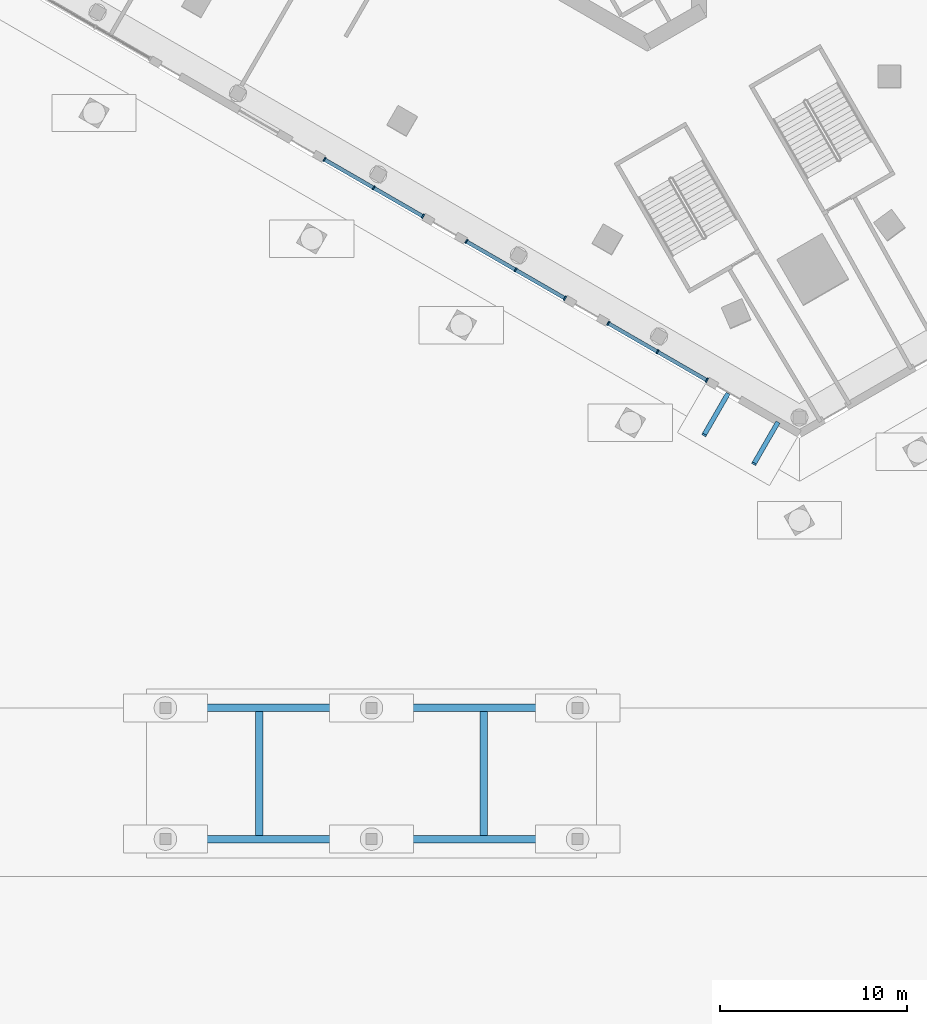
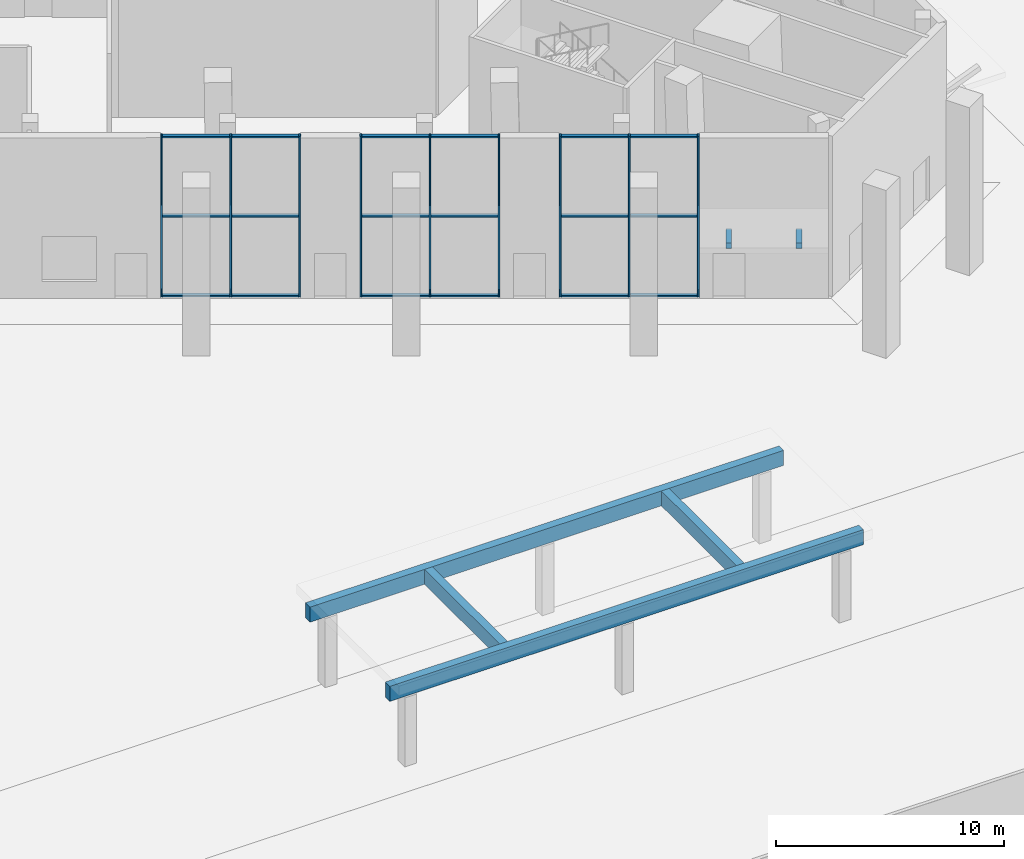
# One storey, part 9 of 63: 29 members, 4 beams, 3 elements without a shape of their own.
"""IFC4 building model written with IfcOpenShell, lengths in metres."""

from ifc_helpers import new_model, si_unit, direction, frame, origin, origin_2d, place, context, subcontext, project, spatial, rectangle, extrude, material, layer, layer_set, material_profile, profile_set, type_object, element, aggregate, save


model = new_model("IFC4")

# Units and contexts
model_context = context("Model", 3, precision=1e-05, world=origin(), true_north=direction((0.0, 1.0)))
body_context = subcontext(model_context, "Body", "Model", "MODEL_VIEW")
ifc_project = project(units=[si_unit("LENGTHUNIT", "METRE"), si_unit("AREAUNIT", "SQUARE_METRE"), si_unit("VOLUMEUNIT", "CUBIC_METRE"), si_unit("PLANEANGLEUNIT", "RADIAN"), si_unit("MASSUNIT", "GRAM", prefix="KILO")], contexts=[model_context])

# Site, building, storey
site_placement = place(None, origin())
site = spatial("IfcSite", under=ifc_project, at=site_placement, CompositionType="ELEMENT")
building_placement = place(site_placement, origin())
building = spatial("IfcBuilding", under=site, at=building_placement, Name="Jabali Bay Hotel Tower and Convention Centre", CompositionType="ELEMENT")
storey_placement = place(building_placement, origin())
storey = spatial("IfcBuildingStorey", under=building, at=storey_placement, Name="L00", CompositionType="ELEMENT", Elevation=0.0)

# Curtain wall, members
ifc_material_1 = material(Name="Aluminium and glass", Category="aluminium")
ifc_layer = layer(ifc_material_1, 0.239990234375)
ifc_layer_set = layer_set([ifc_layer], Name="Aluminium and glass")
curtain_wall_type = type_object("IfcCurtainWallType", Name="CW2 curtain wall", PredefinedType="NOTDEFINED", material=ifc_layer_set)
curtain_wall_1_placement = place(storey_placement, origin())
curtain_wall_1 = element("IfcCurtainWall", 1, at=curtain_wall_1_placement, inside=storey, type_object=curtain_wall_type, Name="CW2 curtain wall south-west face L00", PredefinedType="NOTDEFINED")
ifc_material_2 = material(Name="Aluminium", Category="aluminium")
ifc_material_profile_1 = material_profile(ifc_material_2, rectangle(XDim=0.239990234375, YDim=0.080078125, at=origin_2d()), Name="CW2 mullion 80 x 240")
ifc_profile_set_1 = profile_set([ifc_material_profile_1], Name="Aluminium")
member_type_1 = type_object("IfcMemberType", Name="CW2 mullion 80 x 240", PredefinedType="MULLION", material=ifc_profile_set_1)
member_1_placement = place(storey_placement, frame((74.740478515625, 47.24072265625, 0.0), z_axis=(0.0, 0.0, 1.0), x_axis=(-0.499999999441, -0.866025404107, 0.0)))
member_1 = element("IfcMember", 2, at=member_1_placement, type_object=member_type_1, Name="CW2 mullion 1", PredefinedType="MULLION", context=body_context, shape_type="SweptSolid", body=[
    extrude(rectangle(XDim=0.239990234375, YDim=0.080078125, at=origin_2d()), origin(), (0.0, 0.0, 1.0), 8.60009765625),
])
member_2_placement = place(storey_placement, frame((72.11328125, 48.7578125, 0.0), z_axis=(0.0, 0.0, 1.0), x_axis=(-0.499999999441, -0.866025404107, 0.0)))
member_2 = element("IfcMember", 3, at=member_2_placement, type_object=member_type_1, Name="CW2 mullion 2", PredefinedType="MULLION", context=body_context, shape_type="SweptSolid", body=[
    extrude(rectangle(XDim=0.239990234375, YDim=0.080078125, at=origin_2d()), origin(), (0.0, 0.0, 1.0), 8.60009765625),
])
member_3_placement = place(storey_placement, frame((69.486083984375, 50.274658203125, 0.0), z_axis=(0.0, 0.0, 1.0), x_axis=(-0.499999999441, -0.866025404107, 0.0)))
member_3 = element("IfcMember", 4, at=member_3_placement, type_object=member_type_1, Name="CW2 mullion 3", PredefinedType="MULLION", context=body_context, shape_type="SweptSolid", body=[
    extrude(rectangle(XDim=0.239990234375, YDim=0.080078125, at=origin_2d()), origin(), (0.0, 0.0, 1.0), 8.60009765625),
])

curtain_wall_2_placement = place(storey_placement, origin())
curtain_wall_2 = element("IfcCurtainWall", 5, at=curtain_wall_2_placement, inside=storey, type_object=curtain_wall_type, Name="CW2 curtain wall south-west face L00", PredefinedType="NOTDEFINED")
member_4_placement = place(storey_placement, frame((82.31591796875, 42.8671875, 0.0), z_axis=(0.0, 0.0, 1.0), x_axis=(-0.499999999441, -0.866025404107, 0.0)))
member_4 = element("IfcMember", 6, at=member_4_placement, type_object=member_type_1, Name="CW2 mullion 1", PredefinedType="MULLION", context=body_context, shape_type="SweptSolid", body=[
    extrude(rectangle(XDim=0.239990234375, YDim=0.080078125, at=origin_2d()), origin(), (0.0, 0.0, 1.0), 8.60009765625),
])
member_5_placement = place(storey_placement, frame((79.688720703125, 44.384033203125, 0.0), z_axis=(0.0, 0.0, 1.0), x_axis=(-0.499999999441, -0.866025404107, 0.0)))
member_5 = element("IfcMember", 7, at=member_5_placement, type_object=member_type_1, Name="CW2 mullion 2", PredefinedType="MULLION", context=body_context, shape_type="SweptSolid", body=[
    extrude(rectangle(XDim=0.239990234375, YDim=0.080078125, at=origin_2d()), origin(), (0.0, 0.0, 1.0), 8.60009765625),
])
member_6_placement = place(storey_placement, frame((77.0615234375, 45.90087890625, 0.0), z_axis=(0.0, 0.0, 1.0), x_axis=(-0.499999999441, -0.866025404107, 0.0)))
member_6 = element("IfcMember", 8, at=member_6_placement, type_object=member_type_1, Name="CW2 mullion 3", PredefinedType="MULLION", context=body_context, shape_type="SweptSolid", body=[
    extrude(rectangle(XDim=0.239990234375, YDim=0.080078125, at=origin_2d()), origin(), (0.0, 0.0, 1.0), 8.60009765625),
])

curtain_wall_3_placement = place(storey_placement, origin())
curtain_wall_3 = element("IfcCurtainWall", 9, at=curtain_wall_3_placement, inside=storey, type_object=curtain_wall_type, Name="CW2 curtain wall south-west face L00", PredefinedType="NOTDEFINED")
member_7_placement = place(storey_placement, frame((89.8916015625, 38.493408203125, 0.0), z_axis=(0.0, 0.0, 1.0), x_axis=(-0.499999999441, -0.866025404107, 0.0)))
member_7 = element("IfcMember", 10, at=member_7_placement, type_object=member_type_1, Name="CW2 mullion 1", PredefinedType="MULLION", context=body_context, shape_type="SweptSolid", body=[
    extrude(rectangle(XDim=0.239990234375, YDim=0.080078125, at=origin_2d()), origin(), (0.0, 0.0, 1.0), 8.60009765625),
])
member_8_placement = place(storey_placement, frame((87.26416015625, 40.01025390625, 0.0), z_axis=(0.0, 0.0, 1.0), x_axis=(-0.499999999441, -0.866025404107, 0.0)))
member_8 = element("IfcMember", 11, at=member_8_placement, type_object=member_type_1, Name="CW2 mullion 2", PredefinedType="MULLION", context=body_context, shape_type="SweptSolid", body=[
    extrude(rectangle(XDim=0.239990234375, YDim=0.080078125, at=origin_2d()), origin(), (0.0, 0.0, 1.0), 8.60009765625),
])
member_9_placement = place(storey_placement, frame((84.636962890625, 41.527099609375, 0.0), z_axis=(0.0, 0.0, 1.0), x_axis=(-0.499999999441, -0.866025404107, 0.0)))
member_9 = element("IfcMember", 12, at=member_9_placement, type_object=member_type_1, Name="CW2 mullion 3", PredefinedType="MULLION", context=body_context, shape_type="SweptSolid", body=[
    extrude(rectangle(XDim=0.239990234375, YDim=0.080078125, at=origin_2d()), origin(), (0.0, 0.0, 1.0), 8.60009765625),
])

# Member
ifc_material_profile_2 = material_profile(ifc_material_2, rectangle(XDim=0.199951171875, YDim=0.080078125, at=origin_2d()), Name="CW2 transom 80 x 200")
ifc_profile_set_2 = profile_set([ifc_material_profile_2], Name="Aluminium")
member_type_2 = type_object("IfcMemberType", Name="CW2 transom 80 x 200", PredefinedType="USERDEFINED", material=ifc_profile_set_2)
member_10_placement = place(storey_placement, frame((74.705810546875, 47.2607421875, 0.0400390625), z_axis=(-0.865985986916, 0.500068265805, 0.0), x_axis=(-0.500068265805, -0.865985986916, 0.0)))
member_10 = element("IfcMember", 13, at=member_10_placement, type_object=member_type_2, Name="CW2 transom 1.1", ObjectType="TRANSOM", PredefinedType="USERDEFINED", context=body_context, shape_type="SweptSolid", body=[
    extrude(rectangle(XDim=0.199951171875, YDim=0.080078125, at=origin_2d()), origin(), (0.0, 0.0, 1.0), 2.95361328125),
])

member_11_placement = place(storey_placement, frame((74.705810546875, 47.2607421875, 4.300048828125), z_axis=(-0.865985986916, 0.500068265805, 0.0), x_axis=(-0.500068265805, -0.865985986916, 0.0)))
member_11 = element("IfcMember", 14, at=member_11_placement, type_object=member_type_2, Name="CW2 transom 1.2", ObjectType="TRANSOM", PredefinedType="USERDEFINED", context=body_context, shape_type="SweptSolid", body=[
    extrude(rectangle(XDim=0.199951171875, YDim=0.080078125, at=origin_2d()), origin(), (0.0, 0.0, 1.0), 2.95361328125),
])

member_12_placement = place(storey_placement, frame((74.705810546875, 47.2607421875, 8.56005859375), z_axis=(-0.865985986916, 0.500068265805, 0.0), x_axis=(-0.500068265805, -0.865985986916, 0.0)))
member_12 = element("IfcMember", 15, at=member_12_placement, type_object=member_type_2, Name="CW2 transom 1.3", ObjectType="TRANSOM", PredefinedType="USERDEFINED", context=body_context, shape_type="SweptSolid", body=[
    extrude(rectangle(XDim=0.199951171875, YDim=0.080078125, at=origin_2d()), origin(), (0.0, 0.0, 1.0), 2.95361328125),
])

member_13_placement = place(storey_placement, frame((72.07861328125, 48.777587890625, 0.0400390625), z_axis=(-0.866006654318, 0.500032473623, 0.0), x_axis=(-0.500032473623, -0.866006654318, 0.0)))
member_13 = element("IfcMember", 16, at=member_13_placement, type_object=member_type_2, Name="CW2 transom 2.1", ObjectType="TRANSOM", PredefinedType="USERDEFINED", context=body_context, shape_type="SweptSolid", body=[
    extrude(rectangle(XDim=0.199951171875, YDim=0.080078125, at=origin_2d()), origin(), (0.0, 0.0, 1.0), 2.953857421875),
])

member_14_placement = place(storey_placement, frame((72.07861328125, 48.777587890625, 4.300048828125), z_axis=(-0.866006654318, 0.500032473623, 0.0), x_axis=(-0.500032473623, -0.866006654318, 0.0)))
member_14 = element("IfcMember", 17, at=member_14_placement, type_object=member_type_2, Name="CW2 transom 2.2", ObjectType="TRANSOM", PredefinedType="USERDEFINED", context=body_context, shape_type="SweptSolid", body=[
    extrude(rectangle(XDim=0.199951171875, YDim=0.080078125, at=origin_2d()), origin(), (0.0, 0.0, 1.0), 2.953857421875),
])

member_15_placement = place(storey_placement, frame((72.07861328125, 48.777587890625, 8.56005859375), z_axis=(-0.866006654318, 0.500032473623, 0.0), x_axis=(-0.500032473623, -0.866006654318, 0.0)))
member_15 = element("IfcMember", 18, at=member_15_placement, type_object=member_type_2, Name="CW2 transom 2.3", ObjectType="TRANSOM", PredefinedType="USERDEFINED", context=body_context, shape_type="SweptSolid", body=[
    extrude(rectangle(XDim=0.199951171875, YDim=0.080078125, at=origin_2d()), origin(), (0.0, 0.0, 1.0), 2.953857421875),
])

aggregate(curtain_wall_1, [member_1, member_2, member_3, member_10, member_11, member_12, member_13, member_14, member_15])

member_16_placement = place(storey_placement, frame((82.281494140625, 42.88720703125, 0.0400390625), z_axis=(-0.866042443626, 0.499970484968, 0.0), x_axis=(-0.499970484968, -0.866042443626, 0.0)))
member_16 = element("IfcMember", 19, at=member_16_placement, type_object=member_type_2, Name="CW2 transom 1.1", ObjectType="TRANSOM", PredefinedType="USERDEFINED", context=body_context, shape_type="SweptSolid", body=[
    extrude(rectangle(XDim=0.199951171875, YDim=0.080078125, at=origin_2d()), origin(), (0.0, 0.0, 1.0), 2.953857421875),
])

member_17_placement = place(storey_placement, frame((82.281494140625, 42.88720703125, 4.300048828125), z_axis=(-0.866042443626, 0.499970484968, 0.0), x_axis=(-0.499970484968, -0.866042443626, 0.0)))
member_17 = element("IfcMember", 20, at=member_17_placement, type_object=member_type_2, Name="CW2 transom 1.2", ObjectType="TRANSOM", PredefinedType="USERDEFINED", context=body_context, shape_type="SweptSolid", body=[
    extrude(rectangle(XDim=0.199951171875, YDim=0.080078125, at=origin_2d()), origin(), (0.0, 0.0, 1.0), 2.953857421875),
])

member_18_placement = place(storey_placement, frame((82.281494140625, 42.88720703125, 8.56005859375), z_axis=(-0.866042443626, 0.499970484968, 0.0), x_axis=(-0.499970484968, -0.866042443626, 0.0)))
member_18 = element("IfcMember", 21, at=member_18_placement, type_object=member_type_2, Name="CW2 transom 1.3", ObjectType="TRANSOM", PredefinedType="USERDEFINED", context=body_context, shape_type="SweptSolid", body=[
    extrude(rectangle(XDim=0.199951171875, YDim=0.080078125, at=origin_2d()), origin(), (0.0, 0.0, 1.0), 2.953857421875),
])

member_19_placement = place(storey_placement, frame((79.654052734375, 44.404052734375, 0.0400390625), z_axis=(-0.866021780494, 0.500006275671, 0.0), x_axis=(-0.500006275671, -0.866021780494, 0.0)))
member_19 = element("IfcMember", 22, at=member_19_placement, type_object=member_type_2, Name="CW2 transom 2.1", ObjectType="TRANSOM", PredefinedType="USERDEFINED", context=body_context, shape_type="SweptSolid", body=[
    extrude(rectangle(XDim=0.199951171875, YDim=0.080078125, at=origin_2d()), origin(), (0.0, 0.0, 1.0), 2.95361328125),
])

member_20_placement = place(storey_placement, frame((79.654052734375, 44.404052734375, 4.300048828125), z_axis=(-0.866021780494, 0.500006275671, 0.0), x_axis=(-0.500006275671, -0.866021780494, 0.0)))
member_20 = element("IfcMember", 23, at=member_20_placement, type_object=member_type_2, Name="CW2 transom 2.2", ObjectType="TRANSOM", PredefinedType="USERDEFINED", context=body_context, shape_type="SweptSolid", body=[
    extrude(rectangle(XDim=0.199951171875, YDim=0.080078125, at=origin_2d()), origin(), (0.0, 0.0, 1.0), 2.95361328125),
])

member_21_placement = place(storey_placement, frame((79.654052734375, 44.404052734375, 8.56005859375), z_axis=(-0.866021780494, 0.500006275671, 0.0), x_axis=(-0.500006275671, -0.866021780494, 0.0)))
member_21 = element("IfcMember", 24, at=member_21_placement, type_object=member_type_2, Name="CW2 transom 2.3", ObjectType="TRANSOM", PredefinedType="USERDEFINED", context=body_context, shape_type="SweptSolid", body=[
    extrude(rectangle(XDim=0.199951171875, YDim=0.080078125, at=origin_2d()), origin(), (0.0, 0.0, 1.0), 2.95361328125),
])

aggregate(curtain_wall_2, [member_4, member_5, member_6, member_16, member_17, member_18, member_19, member_20, member_21])

member_22_placement = place(storey_placement, frame((89.85693359375, 38.513427734375, 0.0400390625), z_axis=(-0.866042443626, 0.499970484968, 0.0), x_axis=(-0.499970484968, -0.866042443626, 0.0)))
member_22 = element("IfcMember", 25, at=member_22_placement, type_object=member_type_2, Name="CW2 transom 1.1", ObjectType="TRANSOM", PredefinedType="USERDEFINED", context=body_context, shape_type="SweptSolid", body=[
    extrude(rectangle(XDim=0.199951171875, YDim=0.080078125, at=origin_2d()), origin(), (0.0, 0.0, 1.0), 2.953857421875),
])

member_23_placement = place(storey_placement, frame((89.85693359375, 38.513427734375, 4.300048828125), z_axis=(-0.866042443626, 0.499970484968, 0.0), x_axis=(-0.499970484968, -0.866042443626, 0.0)))
member_23 = element("IfcMember", 26, at=member_23_placement, type_object=member_type_2, Name="CW2 transom 1.2", ObjectType="TRANSOM", PredefinedType="USERDEFINED", context=body_context, shape_type="SweptSolid", body=[
    extrude(rectangle(XDim=0.199951171875, YDim=0.080078125, at=origin_2d()), origin(), (0.0, 0.0, 1.0), 2.953857421875),
])

member_24_placement = place(storey_placement, frame((89.85693359375, 38.513427734375, 8.56005859375), z_axis=(-0.866042443626, 0.499970484968, 0.0), x_axis=(-0.499970484968, -0.866042443626, 0.0)))
member_24 = element("IfcMember", 27, at=member_24_placement, type_object=member_type_2, Name="CW2 transom 1.3", ObjectType="TRANSOM", PredefinedType="USERDEFINED", context=body_context, shape_type="SweptSolid", body=[
    extrude(rectangle(XDim=0.199951171875, YDim=0.080078125, at=origin_2d()), origin(), (0.0, 0.0, 1.0), 2.953857421875),
])

member_25_placement = place(storey_placement, frame((87.2294921875, 40.0302734375, 0.0400390625), z_axis=(-0.866021780494, 0.500006275671, 0.0), x_axis=(-0.500006275671, -0.866021780494, 0.0)))
member_25 = element("IfcMember", 28, at=member_25_placement, type_object=member_type_2, Name="CW2 transom 2.1", ObjectType="TRANSOM", PredefinedType="USERDEFINED", context=body_context, shape_type="SweptSolid", body=[
    extrude(rectangle(XDim=0.199951171875, YDim=0.080078125, at=origin_2d()), origin(), (0.0, 0.0, 1.0), 2.95361328125),
])

member_26_placement = place(storey_placement, frame((87.2294921875, 40.0302734375, 4.300048828125), z_axis=(-0.866021780494, 0.500006275671, 0.0), x_axis=(-0.500006275671, -0.866021780494, 0.0)))
member_26 = element("IfcMember", 29, at=member_26_placement, type_object=member_type_2, Name="CW2 transom 2.2", ObjectType="TRANSOM", PredefinedType="USERDEFINED", context=body_context, shape_type="SweptSolid", body=[
    extrude(rectangle(XDim=0.199951171875, YDim=0.080078125, at=origin_2d()), origin(), (0.0, 0.0, 1.0), 2.95361328125),
])

member_27_placement = place(storey_placement, frame((87.2294921875, 40.0302734375, 8.56005859375), z_axis=(-0.866021780494, 0.500006275671, 0.0), x_axis=(-0.500006275671, -0.866021780494, 0.0)))
member_27 = element("IfcMember", 30, at=member_27_placement, type_object=member_type_2, Name="CW2 transom 2.3", ObjectType="TRANSOM", PredefinedType="USERDEFINED", context=body_context, shape_type="SweptSolid", body=[
    extrude(rectangle(XDim=0.199951171875, YDim=0.080078125, at=origin_2d()), origin(), (0.0, 0.0, 1.0), 2.95361328125),
])

aggregate(curtain_wall_3, [member_7, member_8, member_9, member_22, member_23, member_24, member_25, member_26, member_27])

# Members
ifc_material_3 = material(Name="Concrete C40", Category="concrete")
ifc_material_profile_3 = material_profile(ifc_material_3, rectangle(XDim=0.25, YDim=0.25, at=origin_2d()), Name="Canopy bracket 250 x 250")
ifc_profile_set_3 = profile_set([ifc_material_profile_3], Name="Concrete C40")
member_type_3 = type_object("IfcMemberType", Name="Canopy bracket 250 x 250", PredefinedType="BRACE", material=ifc_profile_set_3)
for number, where, z_axis, x_axis, name in (
    (31, (93.673828125, 36.21728515625, 3.5), (-0.4647496934, -0.804959796416, 0.368846104275), (0.866022637375, -0.500004791531, 0.0), "Canopy bracket"),
    (32, (91.011962890625, 37.754150390625, 3.5), (-0.4647496934, -0.804959796416, 0.368846104275), (0.866022637375, -0.500004791531, 0.0), "Canopy bracket"),
):
    element("IfcMember", number, at=place(storey_placement, frame(where, z_axis=z_axis, x_axis=x_axis)), inside=storey, type_object=member_type_3, Name=name, PredefinedType="BRACE", context=body_context, shape_type="SweptSolid", body=[
        extrude(rectangle(XDim=0.25, YDim=0.25, at=origin_2d()), origin(), (0.0, 0.0, 1.0), 2.711181640625),
    ])

# Beams
ifc_material_profile_4 = material_profile(ifc_material_3, rectangle(XDim=0.39990234375, YDim=0.800048828125, at=origin_2d()), Name="RC 400x800")
ifc_profile_set_4 = profile_set([ifc_material_profile_4], Name="Concrete C40")
beam_type = type_object("IfcBeamType", Name="SI Canopy Beam 400x800", PredefinedType="BEAM", material=ifc_profile_set_4)
for number, where, z_axis, x_axis, name in (
    (33, (60.0, 14.0, 4.10009765625), (1.0, 0.0, 0.0), (0.0, 1.0, 0.0), "SI drop-off canopy beam 1"),
    (34, (60.0, 21.0, 4.10009765625), (1.0, 0.0, 0.0), (0.0, 1.0, 0.0), "SI drop-off canopy beam 2"),
):
    element("IfcBeam", number, at=place(storey_placement, frame(where, z_axis=z_axis, x_axis=x_axis)), inside=storey, type_object=beam_type, Name=name, PredefinedType="BEAM", context=body_context, shape_type="SweptSolid", body=[
        extrude(rectangle(XDim=0.39990234375, YDim=0.800048828125, at=origin_2d()), origin(), (0.0, 0.0, 1.0), 24.0),
    ])
for number, where, z_axis, x_axis, name in (
    (35, (66.0, 14.199951171875, 4.10009765625), (0.0, 1.0, 0.0), (-1.0, 0.0, 0.0), "SI drop-off canopy cross beam 1"),
    (36, (78.0, 14.199951171875, 4.10009765625), (0.0, 1.0, 0.0), (-1.0, 0.0, 0.0), "SI drop-off canopy cross beam 2"),
):
    element("IfcBeam", number, at=place(storey_placement, frame(where, z_axis=z_axis, x_axis=x_axis)), inside=storey, type_object=beam_type, Name=name, PredefinedType="BEAM", context=body_context, shape_type="SweptSolid", body=[
        extrude(rectangle(XDim=0.39990234375, YDim=0.800048828125, at=origin_2d()), origin(), (0.0, 0.0, 1.0), 6.60009765625),
    ])

save(model, "model.ifc")
